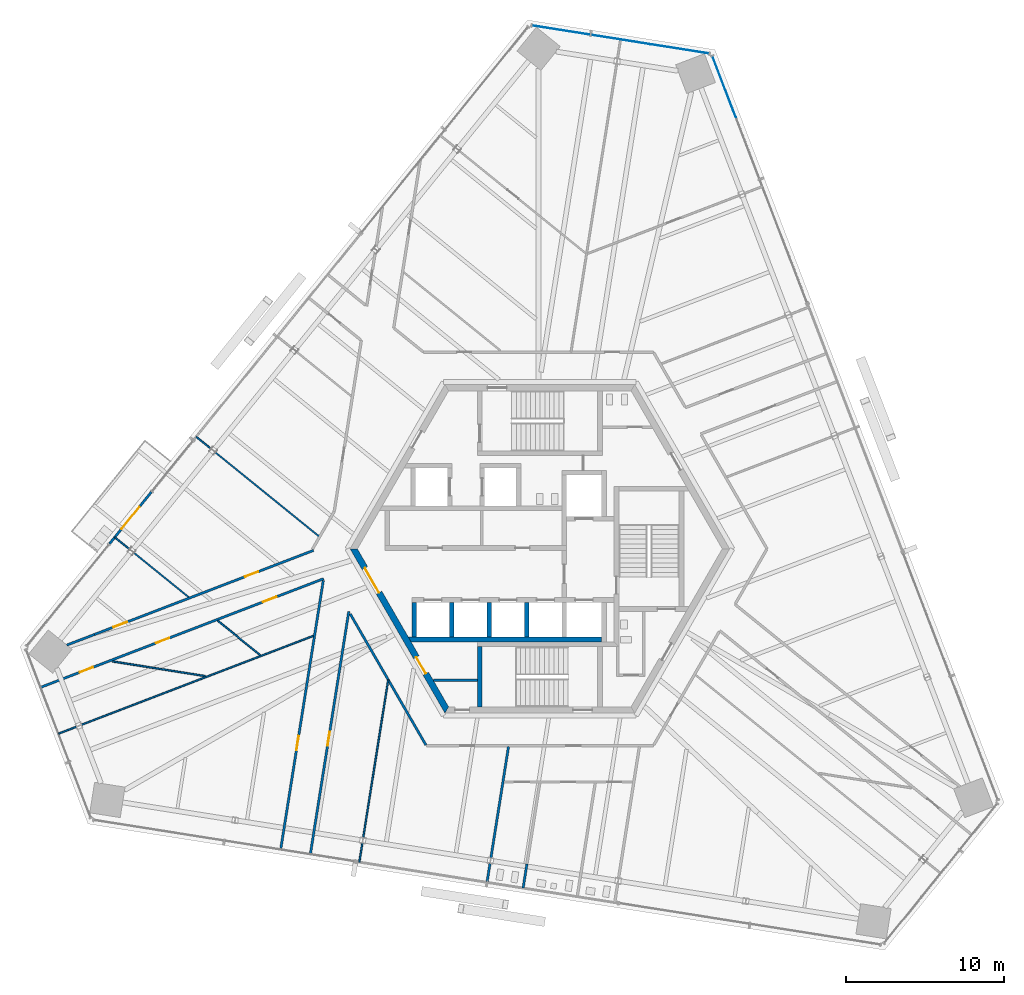
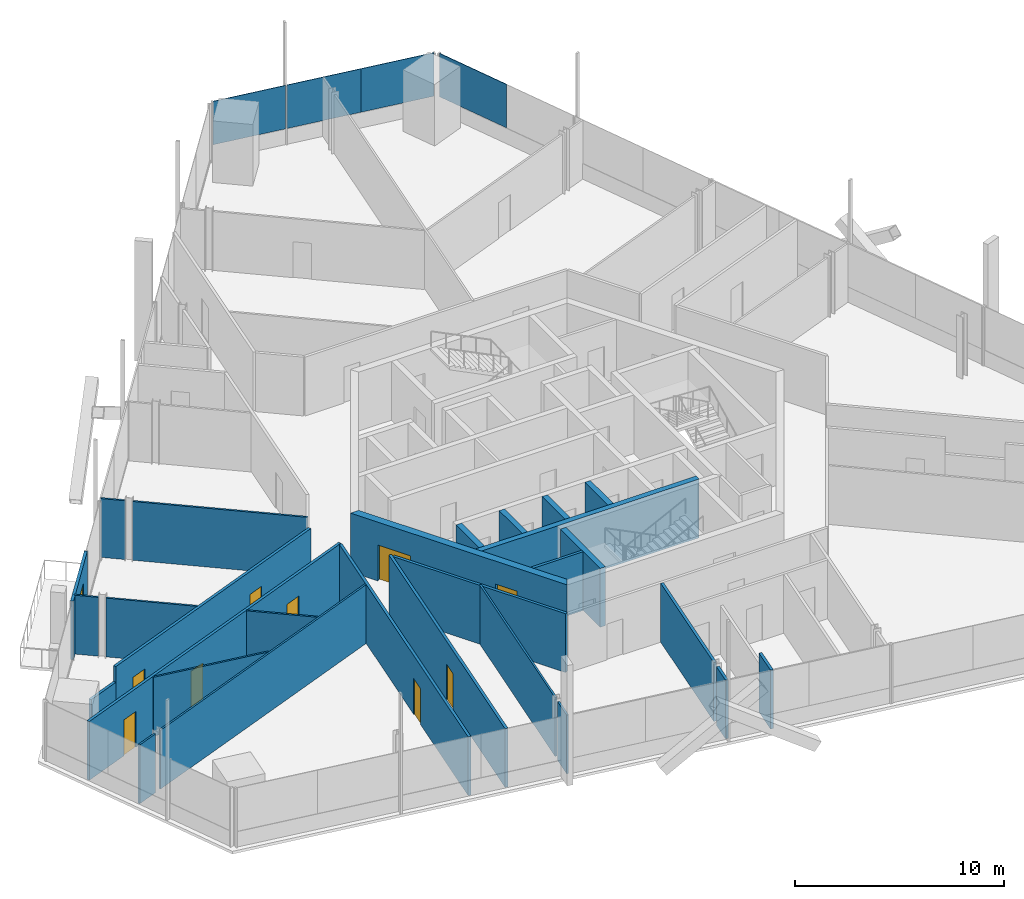
# One storey, part 11 of 22: 28 walls, 10 doors, 4 plates, 10 openings, 2 elements without a shape of their own.
"""IFC4 building model written with IfcOpenShell, lengths in metres."""

import ifcopenshell
import ifcopenshell.guid

model = None  # the IFC model being written
_history = None  # IfcOwnerHistory: only IFC2X3 demands one
_inside = {}  # id of a spatial element -> (the spatial element, [elements in it])
_under = {}  # id of a project, library or spatial element -> (it, [spatial elements below it])
_declared = {}  # id of a project -> (the project, [libraries it declares])
_typed = {}  # id of a type object -> (the type object, [elements of that type])
_made_of = {}  # id of a material, layer set ... -> (it, [elements and type objects made of it])


def new_model(schema):
    """Start an empty IFC model of exactly this schema.

    Asked for "IFC4X3", IfcOpenShell would pick the latest addendum, in which some entities
    have other attributes; the version numbers below select the first issue.
    IFC2X3 requires an IfcOwnerHistory on every rooted entity: one is made here for all.
    """
    global model, _history
    if schema == "IFC4X3":
        model = ifcopenshell.file(schema_version=(4, 3, 0, 0))
    else:
        model = ifcopenshell.file(schema=schema)
    _inside.clear()
    _under.clear()
    _declared.clear()
    _typed.clear()
    _made_of.clear()
    _history = None
    if model.schema == "IFC2X3":
        org = make("IfcOrganization", Name="unknown")
        user = make(
            "IfcPersonAndOrganization",
            ThePerson=make("IfcPerson", FamilyName="unknown"),
            TheOrganization=org,
        )
        app = make(
            "IfcApplication",
            ApplicationDeveloper=org,
            Version="unknown",
            ApplicationFullName="unknown",
            ApplicationIdentifier="unknown",
        )
        _history = make(
            "IfcOwnerHistory",
            OwningUser=user,
            OwningApplication=app,
            ChangeAction="ADDED",
            CreationDate=0,
        )
    return model


def make(cls, **values):
    """One entity of the class cls with the attributes given. An attribute that is None is left unset."""
    return model.create_entity(
        cls, **{name: value for name, value in values.items() if value is not None}
    )


def rooted(cls, **values):
    """An entity with a GlobalId (a new one), such as an element, a storey or a relation."""
    return make(cls, GlobalId=ifcopenshell.guid.new(), OwnerHistory=_history, **values)


def si_unit(unit_type, name, prefix=None):
    """IfcSIUnit, for example si_unit("LENGTHUNIT", "METRE", prefix="MILLI")."""
    return make("IfcSIUnit", UnitType=unit_type, Prefix=prefix, Name=name)


def assignment(units):
    """IfcUnitAssignment: the units of a project."""
    return None if units is None else make("IfcUnitAssignment", Units=units)


def point(xyz):
    """IfcCartesianPoint."""
    return None if xyz is None else make("IfcCartesianPoint", Coordinates=xyz)


def direction(xyz):
    """IfcDirection."""
    return None if xyz is None else make("IfcDirection", DirectionRatios=xyz)


def frame(location, z_axis=None, x_axis=None):
    """IfcAxis2Placement3D, a coordinate frame: its origin and axes. An axis left out is left unset."""
    return make(
        "IfcAxis2Placement3D",
        Location=point(location),
        Axis=direction(z_axis),
        RefDirection=direction(x_axis),
    )


def frame_2d(location, x_axis=None):
    """IfcAxis2Placement2D, a coordinate frame in the plane: its origin and x axis."""
    return make(
        "IfcAxis2Placement2D", Location=point(location), RefDirection=direction(x_axis)
    )


def origin():
    """The frame at (0, 0, 0) with its axes left unset."""
    return frame((0.0, 0.0, 0.0))


def origin_2d():
    """The frame at (0, 0) in the plane with its x axis left unset."""
    return frame_2d((0.0, 0.0))


def place(relative_to, where):
    """IfcLocalPlacement: puts the frame where relative to a parent placement (None: the world)."""
    return make(
        "IfcLocalPlacement", PlacementRelTo=relative_to, RelativePlacement=where
    )


def context(
    kind, dimensions, precision=None, world=None, true_north=None, identifier=None
):
    """IfcGeometricRepresentationContext, for example the 3D "Model" context."""
    return make(
        "IfcGeometricRepresentationContext",
        ContextIdentifier=identifier,
        ContextType=kind,
        CoordinateSpaceDimension=dimensions,
        Precision=precision,
        WorldCoordinateSystem=world,
        TrueNorth=true_north,
    )


def subcontext(parent, identifier, kind, view, scale=None):
    """IfcGeometricRepresentationSubContext, for example "Body" below "Model"."""
    return make(
        "IfcGeometricRepresentationSubContext",
        ContextIdentifier=identifier,
        ContextType=kind,
        ParentContext=parent,
        TargetScale=scale,
        TargetView=view,
    )


def project(units=None, contexts=None):
    """IfcProject with its units and contexts."""
    return rooted(
        "IfcProject",
        Name="project",
        RepresentationContexts=contexts,
        UnitsInContext=assignment(units),
    )


def spatial(cls, under=None, at=None, **own):
    """A site, building, storey or space (cls), placed at a placement, below another one or the project."""
    s = rooted(cls, ObjectPlacement=at, **own)
    if under is not None:
        _under.setdefault(under.id(), (under, []))[1].append(s)
    return s


def polyline(points):
    """IfcPolyline through the points."""
    return make("IfcPolyline", Points=[point(p) for p in points])


def profile(cls, at=None, kind="AREA", **sizes):
    """A parametric profile (cls). Its sizes go by their IFC names, for example OverallWidth=200.0."""
    return make(cls, ProfileType=kind, Position=at, **sizes)


def rectangle(**sizes):
    """IfcRectangleProfileDef."""
    return profile("IfcRectangleProfileDef", **sizes)


def outline(outer, holes=None, kind="AREA"):
    """IfcArbitraryClosedProfileDef: a profile drawn as a closed curve; with holes, ...WithVoids."""
    if holes is None:
        return make("IfcArbitraryClosedProfileDef", ProfileType=kind, OuterCurve=outer)
    return make(
        "IfcArbitraryProfileDefWithVoids",
        ProfileType=kind,
        OuterCurve=outer,
        InnerCurves=holes,
    )


def extrude(swept, where, along, depth):
    """IfcExtrudedAreaSolid: the profile swept, set in the frame where, extruded along a direction by depth."""
    return make(
        "IfcExtrudedAreaSolid",
        SweptArea=swept,
        Position=where,
        ExtrudedDirection=direction(along),
        Depth=depth,
    )


def shape(context_of_items, identifier, shape_type, items):
    """IfcShapeRepresentation: the items that make up one representation, for example the "Body"."""
    return make(
        "IfcShapeRepresentation",
        ContextOfItems=context_of_items,
        RepresentationIdentifier=identifier,
        RepresentationType=shape_type,
        Items=items,
    )


def source(mapping_origin, context_of_items, identifier, shape_type, items):
    """IfcRepresentationMap: a shape defined once, which mapped items show again and again."""
    return make(
        "IfcRepresentationMap",
        MappingOrigin=mapping_origin,
        MappedRepresentation=shape(context_of_items, identifier, shape_type, items),
    )


def transform(
    local_origin,
    x_axis=None,
    y_axis=None,
    z_axis=None,
    scale=None,
    scale2=None,
    scale3=None,
    uniform=True,
):
    """IfcCartesianTransformationOperator3D, or its non-uniform kind. x_axis, y_axis, z_axis: its Axis1, 2, 3."""
    if uniform:
        return make(
            "IfcCartesianTransformationOperator3D",
            Axis1=direction(x_axis),
            Axis2=direction(y_axis),
            LocalOrigin=point(local_origin),
            Scale=scale,
            Axis3=direction(z_axis),
        )
    return make(
        "IfcCartesianTransformationOperator3DnonUniform",
        Axis1=direction(x_axis),
        Axis2=direction(y_axis),
        LocalOrigin=point(local_origin),
        Scale=scale,
        Axis3=direction(z_axis),
        Scale2=scale2,
        Scale3=scale3,
    )


def mapped(mapping_source, mapping_target):
    """IfcMappedItem: shows the shape of a source again, moved by a transform."""
    return make(
        "IfcMappedItem", MappingSource=mapping_source, MappingTarget=mapping_target
    )


def material(Name=None, Category=None):
    """IfcMaterial."""
    return make("IfcMaterial", Name=Name, Category=Category)


def layer(
    of_material, thickness, ventilated=None, Name=None, Category=None, Priority=None
):
    """IfcMaterialLayer: one layer of a wall or slab, of a material (None: an air gap)."""
    return make(
        "IfcMaterialLayer",
        Material=of_material,
        LayerThickness=thickness,
        IsVentilated=ventilated,
        Name=Name,
        Category=Category,
        Priority=Priority,
    )


def layer_set(layers, Name=None):
    """IfcMaterialLayerSet."""
    return make("IfcMaterialLayerSet", MaterialLayers=layers, LayerSetName=Name)


def made_of(thing, what):
    """Note that an element or type object is made of a material, layer set ...; save() writes the relation."""
    if what is not None:
        _made_of.setdefault(what.id(), (what, []))[1].append(thing)
    return thing


def type_object(cls, material=None, **own):
    """A type object (cls), such as IfcWallType, which elements share."""
    return made_of(rooted(cls, **own), material)


def element(
    cls,
    number,
    at=None,
    inside=None,
    cuts=None,
    type_object=None,
    material=None,
    context=None,
    identifier="Body",
    shape_type=None,
    held_by="IfcProductDefinitionShape",
    body=None,
    shapes=None,
    **own,
):
    """One element of the class cls, such as IfcWall. Its Tag is "e" and its number.

    at: its placement. inside: the storey or other place that contains it. cuts: it is an
    opening in that element (IfcRelVoidsElement). A single representation is given by context,
    identifier, shape_type and body (its items); several are given by shapes. held_by: the class
    of the entity that holds the representations. save() writes the other relations.
    """
    e = rooted(cls, Tag="e%d" % number, ObjectPlacement=at, **own)
    if body is not None:
        shapes = [shape(context, identifier, shape_type, body)]
    if shapes is not None:
        e.Representation = make(held_by, Representations=shapes)
    if inside is not None:
        _inside.setdefault(inside.id(), (inside, []))[1].append(e)
    if cuts is not None:
        rooted(
            "IfcRelVoidsElement", RelatingBuildingElement=cuts, RelatedOpeningElement=e
        )
    if type_object is not None:
        _typed.setdefault(type_object.id(), (type_object, []))[1].append(e)
    return made_of(e, material)


def fill(opening, filler):
    """IfcRelFillsElement: the door or window that sits in an opening."""
    return rooted(
        "IfcRelFillsElement",
        RelatingOpeningElement=opening,
        RelatedBuildingElement=filler,
    )


def aggregate(whole, parts):
    """IfcRelAggregates: a whole, such as a stair, and the parts it consists of."""
    return rooted("IfcRelAggregates", RelatingObject=whole, RelatedObjects=parts)


def save(model, path):
    """Write the relations noted so far, then the file.

    IfcRelAggregates (storeys below a building ...), IfcRelContainedInSpatialStructure (elements
    in a storey), IfcRelDefinesByType, IfcRelAssociatesMaterial and IfcRelDeclares: one each for
    every whole, place, type object, material and project.
    """
    for whole, parts in _under.values():
        aggregate(whole, parts)
    for where, things in _inside.values():
        rooted(
            "IfcRelContainedInSpatialStructure",
            RelatedElements=things,
            RelatingStructure=where,
        )
    for kind, things in _typed.values():
        rooted("IfcRelDefinesByType", RelatedObjects=things, RelatingType=kind)
    for what, things in _made_of.values():
        rooted("IfcRelAssociatesMaterial", RelatedObjects=things, RelatingMaterial=what)
    for by, libraries in _declared.values():
        rooted("IfcRelDeclares", RelatingContext=by, RelatedDefinitions=libraries)
    model.write(path)


model = new_model("IFC4")

# Units and contexts
model_context = context("Model", 3, precision=1e-05, world=origin(), true_north=direction((0.0, 1.0)))
body_context = subcontext(model_context, "Body", "Model", "MODEL_VIEW")
ifc_project = project(units=[si_unit("LENGTHUNIT", "METRE"), si_unit("AREAUNIT", "SQUARE_METRE"), si_unit("VOLUMEUNIT", "CUBIC_METRE"), si_unit("PLANEANGLEUNIT", "RADIAN"), si_unit("MASSUNIT", "GRAM", prefix="KILO")], contexts=[model_context])

# Site, building, storey
site_placement = place(None, origin())
site = spatial("IfcSite", under=ifc_project, at=site_placement, CompositionType="ELEMENT")
building_placement = place(site_placement, origin())
building = spatial("IfcBuilding", under=site, at=building_placement, Name="Triune Harvest Tower", CompositionType="ELEMENT")
storey_placement = place(building_placement, frame((0.0, 0.0, 153.300048828125)))
storey = spatial("IfcBuildingStorey", under=building, at=storey_placement, Name="L39", CompositionType="ELEMENT", Elevation=153.300048828125)

# Curtain wall, plates
ifc_material_1 = material(Name="Aluminium bronze anodised", Category="aluminium")
curtain_wall_type = type_object("IfcCurtainWallType", Name="CW-1 Tower stick curtain wall", PredefinedType="NOTDEFINED", material=ifc_material_1)
curtain_wall_1_placement = place(storey_placement, origin())
curtain_wall_1 = element("IfcCurtainWall", 1, at=curtain_wall_1_placement, inside=storey, type_object=curtain_wall_type, Name="CW-1 B4-F2 L39 run 1")
ifc_material_2 = material(Name="Glass", Category="glass")
ifc_layer_1 = layer(ifc_material_2, 0.031982421875)
ifc_layer_set_1 = layer_set([ifc_layer_1], Name="Glass")
plate_type = type_object("IfcPlateType", Name="GL-1 panel 32", PredefinedType="CURTAIN_PANEL", material=ifc_layer_set_1)
shared_shape_1 = source(origin(), body_context, "Body", "SweptSolid", [
    extrude(rectangle(XDim=3.74951171875, YDim=0.031982421875, at=origin_2d()), origin(), (0.0, 0.0, 1.0), 2.5400390625),
])
plate_1_placement = place(storey_placement, frame((8.841552734375, 31.614990234375, 0.89990234375), z_axis=(0.0, 0.0, 1.0), x_axis=(-0.987688615663, 0.156432728322, 0.0)))
plate_1 = element("IfcPlate", 2, at=plate_1_placement, type_object=plate_type, Name="CW-1 panel B4-F2 1.1", PredefinedType="CURTAIN_PANEL", context=body_context, shape_type="MappedRepresentation", body=[
    mapped(shared_shape_1, transform((0.0, 0.0, 0.0), scale=1.0)),
])
shared_shape_2 = source(origin(), body_context, "Body", "SweptSolid", [
    extrude(rectangle(XDim=3.787109375, YDim=0.031982421875, at=origin_2d()), origin(), (0.0, 0.0, 1.0), 2.5400390625),
])
plate_2_placement = place(storey_placement, frame((5.11962890625, 32.20458984375, 0.89990234375), z_axis=(0.0, 0.0, 1.0), x_axis=(-0.987688615663, 0.156432728322, 0.0)))
plate_2 = element("IfcPlate", 3, at=plate_2_placement, type_object=plate_type, Name="CW-1 panel B4-F2 1.2", PredefinedType="CURTAIN_PANEL", context=body_context, shape_type="MappedRepresentation", body=[
    mapped(shared_shape_2, transform((0.0, 0.0, 0.0), scale=1.0)),
])
shared_shape_3 = source(origin(), body_context, "Body", "SweptSolid", [
    extrude(rectangle(XDim=3.7119140625, YDim=0.031982421875, at=origin_2d()), origin(), (0.0, 0.0, 1.0), 2.5400390625),
])
plate_3_placement = place(storey_placement, frame((1.34228515625, 32.802734375, 0.89990234375), z_axis=(0.0, 0.0, 1.0), x_axis=(-0.987688615663, 0.156432728322, 0.0)))
plate_3 = element("IfcPlate", 4, at=plate_3_placement, type_object=plate_type, Name="CW-1 panel B4-F2 1.3", PredefinedType="CURTAIN_PANEL", context=body_context, shape_type="MappedRepresentation", body=[
    mapped(shared_shape_3, transform((0.0, 0.0, 0.0), scale=1.0)),
])
aggregate(curtain_wall_1, [plate_1, plate_2, plate_3])

# Curtain wall, plate
curtain_wall_2_placement = place(storey_placement, origin())
curtain_wall_2 = element("IfcCurtainWall", 5, at=curtain_wall_2_placement, inside=storey, type_object=curtain_wall_type, Name="CW-1 B4-F1 L39 run 2001")
shared_shape_4 = source(origin(), body_context, "Body", "SweptSolid", [
    extrude(rectangle(XDim=4.131103515625, YDim=0.031982421875, at=origin_2d()), origin(), (0.0, 0.0, 1.0), 2.5400390625),
])
plate_4_placement = place(storey_placement, frame((11.655517578125, 29.213623046875, 0.89990234375), z_axis=(0.0, 0.0, 1.0), x_axis=(-0.35837129085, 0.933579143884, 0.0)))
plate_4 = element("IfcPlate", 6, at=plate_4_placement, type_object=plate_type, Name="CW-1 panel B4-F1 2001.4", PredefinedType="CURTAIN_PANEL", context=body_context, shape_type="MappedRepresentation", body=[
    mapped(shared_shape_4, transform((0.0, 0.0, 0.0), scale=1.0)),
])
aggregate(curtain_wall_2, [plate_4])

# Wall
ifc_material_3 = material(Name="Gypsum board on steel studs", Category="steel")
ifc_layer_2 = layer(ifc_material_3, 0.14990234375)
ifc_layer_set_2 = layer_set([ifc_layer_2], Name="Gypsum board on steel studs")
wall_type_1 = type_object("IfcWallType", Name="Fire Partition 150 mm", PredefinedType="PARTITIONING", material=ifc_layer_set_2)
wall_1_placement = place(storey_placement, frame((-11.990966796875, -4.115966796875, 0.0), z_axis=(0.0, 0.0, 1.0), x_axis=(0.500008659558, -0.866020404129, 0.0)))
element("IfcWall", 7, at=wall_1_placement, inside=storey, type_object=wall_type_1, Name="Partition L39 001", PredefinedType="PARTITIONING", context=body_context, shape_type="SweptSolid", body=[
    extrude(rectangle(XDim=9.574462890625, YDim=0.14990234375, at=frame_2d((4.787109375, 0.0))), origin(), (0.0, 0.0, 1.0), 3.43994140625),
])

# Wall, openings, doors
wall_2_placement = place(storey_placement, frame((-31.5673828125, -8.757080078125, 0.0), z_axis=(0.0, 0.0, 1.0), x_axis=(0.933575909934, 0.358379715374, 0.0)))
wall_2 = element("IfcWall", 8, at=wall_2_placement, inside=storey, type_object=wall_type_1, Name="Partition L39 030", PredefinedType="PARTITIONING", context=body_context, shape_type="SweptSolid", body=[
    extrude(rectangle(XDim=19.163818359375, YDim=0.14990234375, at=frame_2d((9.58203125, 0.0))), origin(), (0.0, 0.0, 1.0), 3.43994140625),
])
opening_1_placement = place(wall_2_placement, frame((15.068115234375, 0.0, 0.0)))
opening_1 = element("IfcOpeningElement", 9, at=opening_1_placement, cuts=wall_2, Name="Opening L39-014", PredefinedType="OPENING", context=body_context, shape_type="SweptSolid", body=[
    extrude(rectangle(XDim=0.89990234375, YDim=2.10009765625, at=frame_2d((0.449951171875, 1.050048828125))), frame((0.0, 0.0849609375, 0.0), z_axis=(0.0, -1.0, 0.0), x_axis=(1.0, 0.0, 0.0)), (0.0, 0.0, 1.0), 0.169921875),
])
opening_2_placement = place(wall_2_placement, frame((7.80810546875, 0.0, 0.0)))
opening_2 = element("IfcOpeningElement", 10, at=opening_2_placement, cuts=wall_2, Name="Opening L39-016", PredefinedType="OPENING", context=body_context, shape_type="SweptSolid", body=[
    extrude(rectangle(XDim=0.89990234375, YDim=2.10009765625, at=frame_2d((0.449951171875, 1.050048828125))), frame((0.0, 0.0849609375, 0.0), z_axis=(0.0, -1.0, 0.0), x_axis=(1.0, 0.0, 0.0)), (0.0, 0.0, 1.0), 0.169921875),
])
opening_3_placement = place(wall_2_placement, frame((2.64990234375, 0.0, 0.0)))
opening_3 = element("IfcOpeningElement", 11, at=opening_3_placement, cuts=wall_2, Name="Opening L39-017", PredefinedType="OPENING", context=body_context, shape_type="SweptSolid", body=[
    extrude(rectangle(XDim=0.89990234375, YDim=2.10009765625, at=frame_2d((0.449951171875, 1.050048828125))), frame((0.0, 0.0849609375, 0.0), z_axis=(0.0, -1.0, 0.0), x_axis=(1.0, 0.0, 0.0)), (0.0, 0.0, 1.0), 0.169921875),
])
ifc_material_4 = material(Name="Timber and steel door set", Category="steel")
door_type_1 = type_object("IfcDoorType", Name="Single leaf door FD30 left hand 900 x 2100", OperationType="SINGLE_SWING_LEFT", PredefinedType="DOOR", material=ifc_material_4)
door_1_placement = place(opening_1_placement, origin())
door_1 = element("IfcDoor", 12, at=door_1_placement, inside=storey, type_object=door_type_1, Name="Door L39-014 Meeting Room 39.14", OperationType="SINGLE_SWING_LEFT", OverallHeight=2.10009765625, OverallWidth=0.89990234375, PredefinedType="DOOR", context=body_context, shape_type="SweptSolid", body=[
    extrude(rectangle(XDim=0.89990234375, YDim=2.10009765625, at=frame_2d((0.449951171875, 1.050048828125))), frame((0.0, 0.02490234375, 0.0), z_axis=(0.0, -1.0, 0.0), x_axis=(1.0, 0.0, 0.0)), (0.0, 0.0, 1.0), 0.050048828125),
])
fill(opening_1, door_1)
ifc_material_5 = material(Name="Timber and steel door set", Category="steel")
door_type_2 = type_object("IfcDoorType", Name="Single leaf door FD30 right hand 900 x 2100", OperationType="SINGLE_SWING_RIGHT", PredefinedType="DOOR", material=ifc_material_5)
door_2_placement = place(opening_2_placement, origin())
door_2 = element("IfcDoor", 13, at=door_2_placement, inside=storey, type_object=door_type_2, Name="Door L39-016 Open Office 39.16", OperationType="SINGLE_SWING_RIGHT", OverallHeight=2.10009765625, OverallWidth=0.89990234375, PredefinedType="DOOR", context=body_context, shape_type="SweptSolid", body=[
    extrude(rectangle(XDim=0.89990234375, YDim=2.10009765625, at=frame_2d((0.449951171875, 1.050048828125))), frame((0.0, 0.02490234375, 0.0), z_axis=(0.0, -1.0, 0.0), x_axis=(1.0, 0.0, 0.0)), (0.0, 0.0, 1.0), 0.050048828125),
])
fill(opening_2, door_2)
door_3_placement = place(opening_3_placement, origin())
door_3 = element("IfcDoor", 14, at=door_3_placement, inside=storey, type_object=door_type_2, Name="Door L39-017 Reception 39.17", OperationType="SINGLE_SWING_RIGHT", OverallHeight=2.10009765625, OverallWidth=0.89990234375, PredefinedType="DOOR", context=body_context, shape_type="SweptSolid", body=[
    extrude(rectangle(XDim=0.89990234375, YDim=2.10009765625, at=frame_2d((0.449951171875, 1.050048828125))), frame((0.0, 0.02490234375, 0.0), z_axis=(0.0, -1.0, 0.0), x_axis=(1.0, 0.0, 0.0)), (0.0, 0.0, 1.0), 0.050048828125),
])
fill(opening_3, door_3)

wall_3_placement = place(storey_placement, frame((-28.169677734375, -5.41748046875, 0.0), z_axis=(0.0, 0.0, 1.0), x_axis=(0.933577267121, 0.358376179893, 0.0)))
wall_3 = element("IfcWall", 15, at=wall_3_placement, inside=storey, type_object=wall_type_1, Name="Partition L39 032a", PredefinedType="PARTITIONING", context=body_context, shape_type="SweptSolid", body=[
    extrude(rectangle(XDim=14.844970703125, YDim=0.14990234375, at=frame_2d((7.42236328125, 0.0))), origin(), (0.0, 0.0, 1.0), 3.43994140625),
])
opening_4_placement = place(wall_3_placement, frame((10.19482421875, 0.0, 0.0)))
opening_4 = element("IfcOpeningElement", 16, at=opening_4_placement, cuts=wall_3, Name="Opening L39-013", PredefinedType="OPENING", context=body_context, shape_type="SweptSolid", body=[
    extrude(rectangle(XDim=0.89990234375, YDim=2.10009765625, at=frame_2d((0.449951171875, 1.050048828125))), frame((0.0, 0.0849609375, 0.0), z_axis=(0.0, -1.0, 0.0), x_axis=(1.0, 0.0, 0.0)), (0.0, 0.0, 1.0), 0.169921875),
])
opening_5_placement = place(wall_3_placement, frame((1.302490234375, 0.0, 0.0)))
opening_5 = element("IfcOpeningElement", 17, at=opening_5_placement, cuts=wall_3, Name="Opening L39-015", PredefinedType="OPENING", context=body_context, shape_type="SweptSolid", body=[
    extrude(rectangle(XDim=0.89990234375, YDim=2.10009765625, at=frame_2d((0.449951171875, 1.050048828125))), frame((0.0, 0.0849609375, 0.0), z_axis=(0.0, -1.0, 0.0), x_axis=(1.0, 0.0, 0.0)), (0.0, 0.0, 1.0), 0.169921875),
])
door_4_placement = place(opening_5_placement, origin())
door_4 = element("IfcDoor", 18, at=door_4_placement, inside=storey, type_object=door_type_1, Name="Door L39-015 Open Office 39.15", OperationType="SINGLE_SWING_LEFT", OverallHeight=2.10009765625, OverallWidth=0.89990234375, PredefinedType="DOOR", context=body_context, shape_type="SweptSolid", body=[
    extrude(rectangle(XDim=0.89990234375, YDim=2.10009765625, at=frame_2d((0.449951171875, 1.050048828125))), frame((0.0, 0.02490234375, 0.0), z_axis=(0.0, -1.0, 0.0), x_axis=(1.0, 0.0, 0.0)), (0.0, 0.0, 1.0), 0.050048828125),
])
fill(opening_5, door_4)
door_5_placement = place(opening_4_placement, origin())
door_5 = element("IfcDoor", 19, at=door_5_placement, inside=storey, type_object=door_type_2, Name="Door L39-013 Project Room 39.13", OperationType="SINGLE_SWING_RIGHT", OverallHeight=2.10009765625, OverallWidth=0.89990234375, PredefinedType="DOOR", context=body_context, shape_type="SweptSolid", body=[
    extrude(rectangle(XDim=0.89990234375, YDim=2.10009765625, at=frame_2d((0.449951171875, 1.050048828125))), frame((0.0, 0.02490234375, 0.0), z_axis=(0.0, -1.0, 0.0), x_axis=(1.0, 0.0, 0.0)), (0.0, 0.0, 1.0), 0.050048828125),
])
fill(opening_4, door_5)

# Walls
wall_4_placement = place(storey_placement, frame((-1.058349609375, -21.44921875, 0.0), z_axis=(0.0, 0.0, 1.0), x_axis=(0.156353026415, 0.987701235765, 0.0)))
element("IfcWall", 20, at=wall_4_placement, inside=storey, type_object=wall_type_1, Name="Partition L39 044", PredefinedType="PARTITIONING", context=body_context, shape_type="SweptSolid", body=[
    extrude(rectangle(XDim=1.541259765625, YDim=0.14990234375, at=frame_2d((0.7705078125, 0.0))), origin(), (0.0, 0.0, 1.0), 3.43994140625),
])
wall_5_placement = place(storey_placement, frame((-3.094970703125, -19.54150390625, 0.0), z_axis=(0.0, 0.0, 1.0), x_axis=(0.156411712605, 0.987691943958, 0.0)))
element("IfcWall", 21, at=wall_5_placement, inside=storey, type_object=wall_type_1, Name="Partition L39 046", PredefinedType="PARTITIONING", context=body_context, shape_type="SweptSolid", body=[
    extrude(rectangle(XDim=7.11767578125, YDim=0.14990234375, at=frame_2d((3.558837890625, 0.0))), origin(), (0.0, 0.0, 1.0), 3.43994140625),
])

# Wall, opening, door
wall_6_placement = place(storey_placement, frame((-14.513427734375, -19.318115234375, 0.0), z_axis=(0.0, 0.0, 1.0), x_axis=(0.156442276655, 0.987687103325, 0.0)))
wall_6 = element("IfcWall", 22, at=wall_6_placement, inside=storey, type_object=wall_type_1, Name="Partition L39 051", PredefinedType="PARTITIONING", context=body_context, shape_type="SweptSolid", body=[
    extrude(rectangle(XDim=15.549560546875, YDim=0.14990234375, at=frame_2d((7.77490234375, 0.0))), origin(), (0.0, 0.0, 1.0), 3.43994140625),
])
opening_6_placement = place(wall_6_placement, frame((6.949951171875, 0.0, 0.0)))
opening_6 = element("IfcOpeningElement", 23, at=opening_6_placement, cuts=wall_6, Name="Opening L39-019", PredefinedType="OPENING", context=body_context, shape_type="SweptSolid", body=[
    extrude(rectangle(XDim=0.89990234375, YDim=2.10009765625, at=frame_2d((0.449951171875, 1.050048828125))), frame((0.0, 0.0849609375, 0.0), z_axis=(0.0, -1.0, 0.0), x_axis=(1.0, 0.0, 0.0)), (0.0, 0.0, 1.0), 0.169921875),
])
door_6_placement = place(opening_6_placement, origin())
door_6 = element("IfcDoor", 24, at=door_6_placement, inside=storey, type_object=door_type_2, Name="Door L39-019 Meeting Room 39.19", OperationType="SINGLE_SWING_RIGHT", OverallHeight=2.10009765625, OverallWidth=0.89990234375, PredefinedType="DOOR", context=body_context, shape_type="SweptSolid", body=[
    extrude(rectangle(XDim=0.89990234375, YDim=2.10009765625, at=frame_2d((0.449951171875, 1.050048828125))), frame((0.0, 0.02490234375, 0.0), z_axis=(0.0, -1.0, 0.0), x_axis=(1.0, 0.0, 0.0)), (0.0, 0.0, 1.0), 0.050048828125),
])
fill(opening_6, door_6)

wall_7_placement = place(storey_placement, frame((-16.389892578125, -19.020751953125, 0.0), z_axis=(0.0, 0.0, 1.0), x_axis=(0.156441187986, 0.987687275762, 0.0)))
wall_7 = element("IfcWall", 25, at=wall_7_placement, inside=storey, type_object=wall_type_1, Name="Partition L39 053", PredefinedType="PARTITIONING", context=body_context, shape_type="SweptSolid", body=[
    extrude(rectangle(XDim=17.235107421875, YDim=0.14990234375, at=frame_2d((8.61767578125, 0.0))), origin(), (0.0, 0.0, 1.0), 3.43994140625),
])
opening_7_placement = place(wall_7_placement, frame((6.372314453125, 0.0, 0.0)))
opening_7 = element("IfcOpeningElement", 26, at=opening_7_placement, cuts=wall_7, Name="Opening L39-018", PredefinedType="OPENING", context=body_context, shape_type="SweptSolid", body=[
    extrude(rectangle(XDim=0.89990234375, YDim=2.10009765625, at=frame_2d((0.449951171875, 1.050048828125))), frame((0.0, 0.0849609375, 0.0), z_axis=(0.0, -1.0, 0.0), x_axis=(1.0, 0.0, 0.0)), (0.0, 0.0, 1.0), 0.169921875),
])
door_7_placement = place(opening_7_placement, origin())
door_7 = element("IfcDoor", 27, at=door_7_placement, inside=storey, type_object=door_type_1, Name="Door L39-018 Office 39.18", OperationType="SINGLE_SWING_LEFT", OverallHeight=2.10009765625, OverallWidth=0.89990234375, PredefinedType="DOOR", context=body_context, shape_type="SweptSolid", body=[
    extrude(rectangle(XDim=0.89990234375, YDim=2.10009765625, at=frame_2d((0.449951171875, 1.050048828125))), frame((0.0, 0.02490234375, 0.0), z_axis=(0.0, -1.0, 0.0), x_axis=(1.0, 0.0, 0.0)), (0.0, 0.0, 1.0), 0.050048828125),
])
fill(opening_7, door_7)

# Walls
ifc_material_6 = material(Name="Gypsum board on steel studs", Category="steel")
ifc_layer_3 = layer(ifc_material_6, 0.10009765625)
ifc_layer_set_3 = layer_set([ifc_layer_3], Name="Gypsum board on steel studs")
wall_type_2 = type_object("IfcWallType", Name="Partition 100 mm", PredefinedType="PARTITIONING", material=ifc_layer_set_3)
wall_8_placement = place(storey_placement, frame((-25.665283203125, -0.255126953125, 0.0), z_axis=(0.0, 0.0, 1.0), x_axis=(0.777157760335, -0.629305820369, 0.0)))
element("IfcWall", 28, at=wall_8_placement, inside=storey, type_object=wall_type_2, Name="Partition L39 005", PredefinedType="PARTITIONING", context=body_context, shape_type="SweptSolid", body=[
    extrude(rectangle(XDim=4.4384765625, YDim=0.10009765625, at=frame_2d((2.21923828125, 0.0))), origin(), (0.0, 0.0, 1.0), 3.43994140625),
])
wall_9_placement = place(storey_placement, frame((-20.370849609375, -4.54248046875, 0.0), z_axis=(0.0, 0.0, 1.0), x_axis=(0.777154560916, -0.629309771454, 0.0)))
element("IfcWall", 29, at=wall_9_placement, inside=storey, type_object=wall_type_2, Name="Partition L39 006", PredefinedType="PARTITIONING", context=body_context, shape_type="SweptSolid", body=[
    extrude(rectangle(XDim=3.462890625, YDim=0.10009765625, at=frame_2d((1.7314453125, 0.0))), origin(), (0.0, 0.0, 1.0), 3.43994140625),
])
wall_10_placement = place(storey_placement, frame((-27.021240234375, -7.118896484375, 0.0), z_axis=(0.0, 0.0, 1.0), x_axis=(0.987691364752, -0.156415370071, 0.0)))
element("IfcWall", 30, at=wall_10_placement, inside=storey, type_object=wall_type_2, Name="Partition L39 021", PredefinedType="PARTITIONING", context=body_context, shape_type="SweptSolid", body=[
    extrude(rectangle(XDim=5.925048828125, YDim=0.10009765625, at=frame_2d((2.96240234375, 0.0))), origin(), (0.0, 0.0, 1.0), 3.43994140625),
])
wall_11_placement = place(storey_placement, frame((-28.981689453125, -11.125, 0.0), z_axis=(0.0, 0.0, 1.0), x_axis=(0.933582709301, 0.358362002582, 0.0)))
element("IfcWall", 31, at=wall_11_placement, inside=storey, type_object=wall_type_2, Name="Partition L39 027", PredefinedType="PARTITIONING", context=body_context, shape_type="SweptSolid", body=[
    extrude(rectangle(XDim=15.697021484375, YDim=0.10009765625, at=frame_2d((7.8486328125, 0.0))), origin(), (0.0, 0.0, 1.0), 3.43994140625),
])
wall_12_placement = place(storey_placement, frame((-11.16943359375, -18.2626953125, 0.0), z_axis=(0.0, 0.0, 1.0), x_axis=(0.156439995977, 0.987687464565, 0.0)))
element("IfcWall", 32, at=wall_12_placement, inside=storey, type_object=wall_type_2, Name="Partition L39 050", PredefinedType="PARTITIONING", context=body_context, shape_type="SweptSolid", body=[
    extrude(rectangle(XDim=10.109619140625, YDim=0.10009765625, at=frame_2d((5.0546875, 0.0))), origin(), (0.0, 0.0, 1.0), 3.43994140625),
])

# Wall, openings, doors
ifc_material_7 = material(Name="Concrete 70 MPa", Category="concrete")
ifc_layer_4 = layer(ifc_material_7, 0.39990234375)
ifc_layer_set_4 = layer_set([ifc_layer_4], Name="Concrete 70 MPa")
wall_type_3 = type_object("IfcWallType", Name="Core wall 400", PredefinedType="SHEAR", material=ifc_layer_set_4)
shared_shape_5 = source(origin(), body_context, "Body", "SweptSolid", [
    extrude(outline(polyline([(-0.115478515625, -0.199951171875), (11.884521484375, -0.199951171875), (11.653564453125, 0.199951171875), (0.115478515625, 0.199951171875), (-0.115478515625, -0.199951171875)])), origin(), (0.0, 0.0, 1.0), 3.43994140625),
])
wall_13_placement = place(storey_placement, frame((-11.76904296875, 0.0, 0.0), z_axis=(0.0, 0.0, 1.0), x_axis=(0.499996592174, -0.866027371285, 0.0)))
wall_13 = element("IfcWall", 33, at=wall_13_placement, inside=storey, type_object=wall_type_3, Name="Hexagon 3 wall", PredefinedType="SHEAR", context=body_context, shape_type="MappedRepresentation", body=[
    mapped(shared_shape_5, transform((0.0, 0.0, 0.0), scale=1.0)),
])
opening_8_placement = place(wall_13_placement, frame((1.404541015625, 0.0, 0.0)))
opening_8 = element("IfcOpeningElement", 34, at=opening_8_placement, cuts=wall_13, Name="Opening CD-LS", PredefinedType="OPENING", context=body_context, shape_type="SweptSolid", body=[
    extrude(rectangle(XDim=1.800048828125, YDim=2.10009765625, at=frame_2d((0.89990234375, 1.050048828125))), frame((0.0, 0.2099609375, 0.0), z_axis=(0.0, -1.0, 0.0), x_axis=(1.0, 0.0, 0.0)), (0.0, 0.0, 1.0), 0.419921875),
])
opening_9_placement = place(wall_13_placement, frame((7.91455078125, 0.0, 0.0)))
opening_9 = element("IfcOpeningElement", 35, at=opening_9_placement, cuts=wall_13, Name="Opening CD-SWP", PredefinedType="OPENING", context=body_context, shape_type="SweptSolid", body=[
    extrude(rectangle(XDim=1.199951171875, YDim=2.10009765625, at=frame_2d((0.60009765625, 1.050048828125))), frame((0.0, 0.2099609375, 0.0), z_axis=(0.0, -1.0, 0.0), x_axis=(1.0, 0.0, 0.0)), (0.0, 0.0, 1.0), 0.419921875),
])
ifc_material_8 = material(Name="Steel S235", Category="steel")
door_type_3 = type_object("IfcDoorType", Name="Lobby door 1800 FD120", OperationType="DOUBLE_DOOR_DOUBLE_SWING", PredefinedType="DOOR", material=ifc_material_8)
door_8_placement = place(opening_8_placement, frame((1.800048828125, 0.0, 0.0), z_axis=(0.0, 0.0, 1.0), x_axis=(-1.0, 0.0, 0.0)))
door_8 = element("IfcDoor", 36, at=door_8_placement, inside=storey, type_object=door_type_3, Name="Door CD-LS", OperationType="DOUBLE_DOOR_DOUBLE_SWING", OverallHeight=2.10009765625, OverallWidth=1.800048828125, PredefinedType="DOOR", context=body_context, shape_type="SweptSolid", body=[
    extrude(rectangle(XDim=1.800048828125, YDim=2.10009765625, at=frame_2d((0.89990234375, 1.050048828125))), frame((0.0, 0.02490234375, 0.0), z_axis=(0.0, -1.0, 0.0), x_axis=(1.0, 0.0, 0.0)), (0.0, 0.0, 1.0), 0.050048828125),
])
fill(opening_8, door_8)
ifc_material_9 = material(Name="Steel S235", Category="steel")
door_type_4 = type_object("IfcDoorType", Name="Service door 1200 FD120", OperationType="SINGLE_SWING_LEFT", PredefinedType="DOOR", material=ifc_material_9)
door_9_placement = place(opening_9_placement, frame((1.199951171875, 0.0, 0.0), z_axis=(0.0, 0.0, 1.0), x_axis=(-1.0, 0.0, 0.0)))
door_9 = element("IfcDoor", 37, at=door_9_placement, inside=storey, type_object=door_type_4, Name="Door CD-SWP", OperationType="SINGLE_SWING_RIGHT", OverallHeight=2.10009765625, OverallWidth=1.199951171875, PredefinedType="DOOR", context=body_context, shape_type="SweptSolid", body=[
    extrude(rectangle(XDim=1.199951171875, YDim=2.10009765625, at=frame_2d((0.60009765625, 1.050048828125))), frame((0.0, 0.02490234375, 0.0), z_axis=(0.0, -1.0, 0.0), x_axis=(1.0, 0.0, 0.0)), (0.0, 0.0, 1.0), 0.050048828125),
])
fill(opening_9, door_9)

# Walls
ifc_material_10 = material(Name="Concrete 70 MPa", Category="concrete")
ifc_layer_5 = layer(ifc_material_10, 0.300048828125)
ifc_layer_set_5 = layer_set([ifc_layer_5], Name="Concrete 70 MPa")
wall_type_4 = type_object("IfcWallType", Name="Core wall 300", PredefinedType="SHEAR", material=ifc_layer_set_5)
shared_shape_6 = source(origin(), body_context, "Body", "SweptSolid", [
    extrude(outline(polyline([(12.0, -0.14990234375), (-0.039794921875, -0.14990234375), (-0.212890625, 0.14990234375), (12.0, 0.14990234375), (12.0, -0.14990234375)])), origin(), (0.0, 0.0, 1.0), 3.43994140625),
])
wall_14_placement = place(storey_placement, frame((-8.10009765625, -5.739990234375, 0.0), z_axis=(0.0, 0.0, 1.0), x_axis=(1.0, 0.0, 0.0)))
element("IfcWall", 38, at=wall_14_placement, inside=storey, type_object=wall_type_4, Name="South back wall", PredefinedType="SHEAR", context=body_context, shape_type="MappedRepresentation", body=[
    mapped(shared_shape_6, transform((0.0, 0.0, 0.0), scale=1.0)),
])
shared_shape_7 = source(origin(), body_context, "Body", "SweptSolid", [
    extrude(rectangle(XDim=2.2001953125, YDim=0.300048828125, at=frame_2d((1.10009765625, 0.0))), origin(), (0.0, 0.0, 1.0), 3.43994140625),
])
for number, where, z_axis, x_axis, name in (
    (39, (-7.949951171875, -5.590087890625, 0.0), (0.0, 0.0, 1.0), (0.0, 1.0, 0.0), "South end west wall"),
    (40, (-5.574951171875, -5.590087890625, 0.0), (0.0, 0.0, 1.0), (0.0, 1.0, 0.0), "South cross 1 wall"),
    (41, (-3.199951171875, -5.590087890625, 0.0), (0.0, 0.0, 1.0), (0.0, 1.0, 0.0), "South cross 2 wall"),
    (42, (-0.824951171875, -5.590087890625, 0.0), (0.0, 0.0, 1.0), (0.0, 1.0, 0.0), "South cross 3 wall"),
):
    element("IfcWall", number, at=place(storey_placement, frame(where, z_axis=z_axis, x_axis=x_axis)), inside=storey, type_object=wall_type_4, Name=name, PredefinedType="SHEAR", context=body_context, shape_type="MappedRepresentation", body=[
        mapped(shared_shape_7, transform((0.0, 0.0, 0.0), scale=1.0)),
    ])
shared_shape_8 = source(origin(), body_context, "Body", "SweptSolid", [
    extrude(outline(polyline([(3.800048828125, -0.14990234375), (-0.00439453125, -0.14990234375), (-0.00439453125, 0.14990234375), (3.800048828125, 0.14990234375), (3.800048828125, -0.14990234375)])), origin(), (0.0, 0.0, 1.0), 3.43994140625),
])
wall_15_placement = place(storey_placement, frame((-3.800048828125, -9.989990234375, 0.0), z_axis=(0.0, 0.0, 1.0), x_axis=(0.0, 1.0, 0.0)))
element("IfcWall", 43, at=wall_15_placement, inside=storey, type_object=wall_type_4, Name="Stair s west wall", PredefinedType="SHEAR", context=body_context, shape_type="MappedRepresentation", body=[
    mapped(shared_shape_8, transform((0.0, 0.0, 0.0), scale=1.0)),
])
ifc_material_11 = material(Name="Concrete masonry unit", Category="masonry")
ifc_layer_6 = layer(ifc_material_11, 0.14990234375)
ifc_layer_set_6 = layer_set([ifc_layer_6], Name="Concrete masonry unit")
wall_type_5 = type_object("IfcWallType", Name="Block partition 150", PredefinedType="PARTITIONING", material=ifc_layer_set_6)
shared_shape_9 = source(origin(), body_context, "Body", "SweptSolid", [
    extrude(rectangle(XDim=2.777099609375, YDim=0.14990234375, at=frame_2d((1.388671875, 0.0))), origin(), (0.0, 0.0, 1.0), 3.43994140625),
])
wall_16_placement = place(storey_placement, frame((-6.72705078125, -8.300048828125, 0.0), z_axis=(0.0, 0.0, 1.0), x_axis=(1.0, 0.0, 0.0)))
element("IfcWall", 44, at=wall_16_placement, inside=storey, type_object=wall_type_5, Name="Sw part wall", PredefinedType="PARTITIONING", context=body_context, shape_type="MappedRepresentation", body=[
    mapped(shared_shape_9, transform((0.0, 0.0, 0.0), scale=1.0)),
])

# Wall, opening, door
ifc_material_12 = material(Name="Aluminium bronze anodised", Category="aluminium")
ifc_layer_7 = layer(ifc_material_12, 0.14990234375)
ifc_layer_set_7 = layer_set([ifc_layer_7], Name="Aluminium bronze anodised")
wall_type_6 = type_object("IfcWallType", Name="WW-2 balcony window wall", PredefinedType="ELEMENTEDWALL", material=ifc_layer_set_7)
shared_shape_10 = source(origin(), body_context, "Body", "SweptSolid", [
    extrude(rectangle(XDim=4.22119140625, YDim=0.14990234375, at=frame_2d((2.110595703125, 0.0))), origin(), (0.0, 0.0, 1.0), 3.43994140625),
])
wall_17_placement = place(storey_placement, frame((-27.218505859375, 0.314697265625, 0.0), z_axis=(0.0, 0.0, 1.0), x_axis=(0.629318013876, 0.777147886449, 0.0)))
wall_17 = element("IfcWall", 45, at=wall_17_placement, inside=storey, type_object=wall_type_6, Name="WW-2 B4-F3 L39.10", PredefinedType="ELEMENTEDWALL", context=body_context, shape_type="MappedRepresentation", body=[
    mapped(shared_shape_10, transform((0.0, 0.0, 0.0), scale=1.0)),
])
opening_10_placement = place(wall_17_placement, frame((1.21044921875, 0.0, 0.0)))
opening_10 = element("IfcOpeningElement", 46, at=opening_10_placement, cuts=wall_17, Name="Opening L39-E01", PredefinedType="OPENING", context=body_context, shape_type="SweptSolid", body=[
    extrude(rectangle(XDim=1.800048828125, YDim=2.39990234375, at=frame_2d((0.89990234375, 1.199951171875))), frame((0.0, 0.0849609375, 0.0), z_axis=(0.0, -1.0, 0.0), x_axis=(1.0, 0.0, 0.0)), (0.0, 0.0, 1.0), 0.169921875),
])
ifc_material_13 = material(Name="Glass", Category="glass")
door_type_5 = type_object("IfcDoorType", Name="DB-1 balcony door 1800 x 2400", OperationType="DOUBLE_DOOR_SINGLE_SWING", PredefinedType="DOOR", material=ifc_material_13)
door_10_placement = place(opening_10_placement, origin())
door_10 = element("IfcDoor", 47, at=door_10_placement, inside=storey, type_object=door_type_5, Name="Door L39-E01", OperationType="DOUBLE_DOOR_SINGLE_SWING", OverallHeight=2.39990234375, OverallWidth=1.800048828125, PredefinedType="DOOR", context=body_context, shape_type="SweptSolid", body=[
    extrude(rectangle(XDim=1.800048828125, YDim=2.39990234375, at=frame_2d((0.89990234375, 1.199951171875))), frame((0.0, 0.02490234375, 0.0), z_axis=(0.0, -1.0, 0.0), x_axis=(1.0, 0.0, 0.0)), (0.0, 0.0, 1.0), 0.050048828125),
])
fill(opening_10, door_10)

# Walls
shared_shape_11 = source(origin(), body_context, "Body", "SweptSolid", [
    extrude(rectangle(XDim=1.212158203125, YDim=0.10009765625, at=frame_2d((0.60595703125, 0.0))), origin(), (0.0, 0.0, 1.0), 3.43994140625),
])
for number, where, z_axis, x_axis, name in (
    (48, (-21.7373046875, 7.083251953125, 0.0), (0.0, 0.0, 1.0), (0.777061908225, -0.629424173977, 0.0), "Partition L39 007"),
    (49, (-30.443115234375, -11.68603515625, 0.0), (0.0, 0.0, 1.0), (0.933594564159, 0.358331117506, 0.0), "Partition L39 026"),
):
    element("IfcWall", number, at=place(storey_placement, frame(where, z_axis=z_axis, x_axis=x_axis)), inside=storey, type_object=wall_type_2, Name=name, PredefinedType="PARTITIONING", context=body_context, shape_type="MappedRepresentation", body=[
        mapped(shared_shape_11, transform((0.0, 0.0, 0.0), scale=1.0)),
    ])
shared_shape_12 = source(origin(), body_context, "Body", "SweptSolid", [
    extrude(rectangle(XDim=1.2119140625, YDim=0.10009765625, at=frame_2d((0.60595703125, 0.0))), origin(), (0.0, 0.0, 1.0), 3.43994140625),
])
wall_18_placement = place(storey_placement, frame((-11.414306640625, -19.808837890625, 0.0), z_axis=(0.0, 0.0, 1.0), x_axis=(0.15652114429, 0.987674608052, 0.0)))
element("IfcWall", 50, at=wall_18_placement, inside=storey, type_object=wall_type_2, Name="Partition L39 049", PredefinedType="PARTITIONING", context=body_context, shape_type="MappedRepresentation", body=[
    mapped(shared_shape_12, transform((0.0, 0.0, 0.0), scale=1.0)),
])
shared_shape_13 = source(origin(), body_context, "Body", "SweptSolid", [
    extrude(rectangle(XDim=1.21240234375, YDim=0.10009765625, at=frame_2d((0.606201171875, 0.0))), origin(), (0.0, 0.0, 1.0), 3.43994140625),
])
wall_19_placement = place(storey_placement, frame((-26.882080078125, 0.730224609375, 0.0), z_axis=(0.0, 0.0, 1.0), x_axis=(0.777141685331, -0.629325671589, 0.0)))
element("IfcWall", 51, at=wall_19_placement, inside=storey, type_object=wall_type_2, Name="Partition L39 004", PredefinedType="PARTITIONING", context=body_context, shape_type="MappedRepresentation", body=[
    mapped(shared_shape_13, transform((0.0, 0.0, 0.0), scale=1.0)),
])
shared_shape_14 = source(origin(), body_context, "Body", "SweptSolid", [
    extrude(rectangle(XDim=8.482666015625, YDim=0.10009765625, at=frame_2d((4.2412109375, 0.0))), origin(), (0.0, 0.0, 1.0), 3.43994140625),
])
wall_20_placement = place(storey_placement, frame((-20.520751953125, 6.097900390625, 0.0), z_axis=(0.0, 0.0, 1.0), x_axis=(0.777157059965, -0.629306685287, 0.0)))
element("IfcWall", 52, at=wall_20_placement, inside=storey, type_object=wall_type_2, Name="Partition L39 008", PredefinedType="PARTITIONING", context=body_context, shape_type="MappedRepresentation", body=[
    mapped(shared_shape_14, transform((0.0, 0.0, 0.0), scale=1.0)),
])
shared_shape_15 = source(origin(), body_context, "Body", "SweptSolid", [
    extrude(rectangle(XDim=1.873046875, YDim=0.14990234375, at=frame_2d((0.9365234375, 0.0))), origin(), (0.0, 0.0, 1.0), 2.51806640625),
])
wall_21_placement = place(storey_placement, frame((-29.91845703125, -6.088623046875, 0.0), z_axis=(0.0, 0.0, 1.0), x_axis=(0.933607376229, 0.358297735202, 0.0)))
element("IfcWall", 53, at=wall_21_placement, inside=storey, type_object=wall_type_1, Name="Partition L39 032", PredefinedType="PARTITIONING", context=body_context, shape_type="MappedRepresentation", body=[
    mapped(shared_shape_15, transform((0.0, 0.0, 0.0), scale=1.0)),
])
shared_shape_16 = source(origin(), body_context, "Body", "SweptSolid", [
    extrude(rectangle(XDim=1.212158203125, YDim=0.14990234375, at=frame_2d((0.60595703125, 0.0))), origin(), (0.0, 0.0, 1.0), 3.43994140625),
])
wall_22_placement = place(storey_placement, frame((-3.33984375, -21.087890625, 0.0), z_axis=(0.0, 0.0, 1.0), x_axis=(0.156293529004, 0.987710652363, 0.0)))
element("IfcWall", 54, at=wall_22_placement, inside=storey, type_object=wall_type_1, Name="Partition L39 045", PredefinedType="PARTITIONING", context=body_context, shape_type="MappedRepresentation", body=[
    mapped(shared_shape_16, transform((0.0, 0.0, 0.0), scale=1.0)),
])

save(model, "model.ifc")
